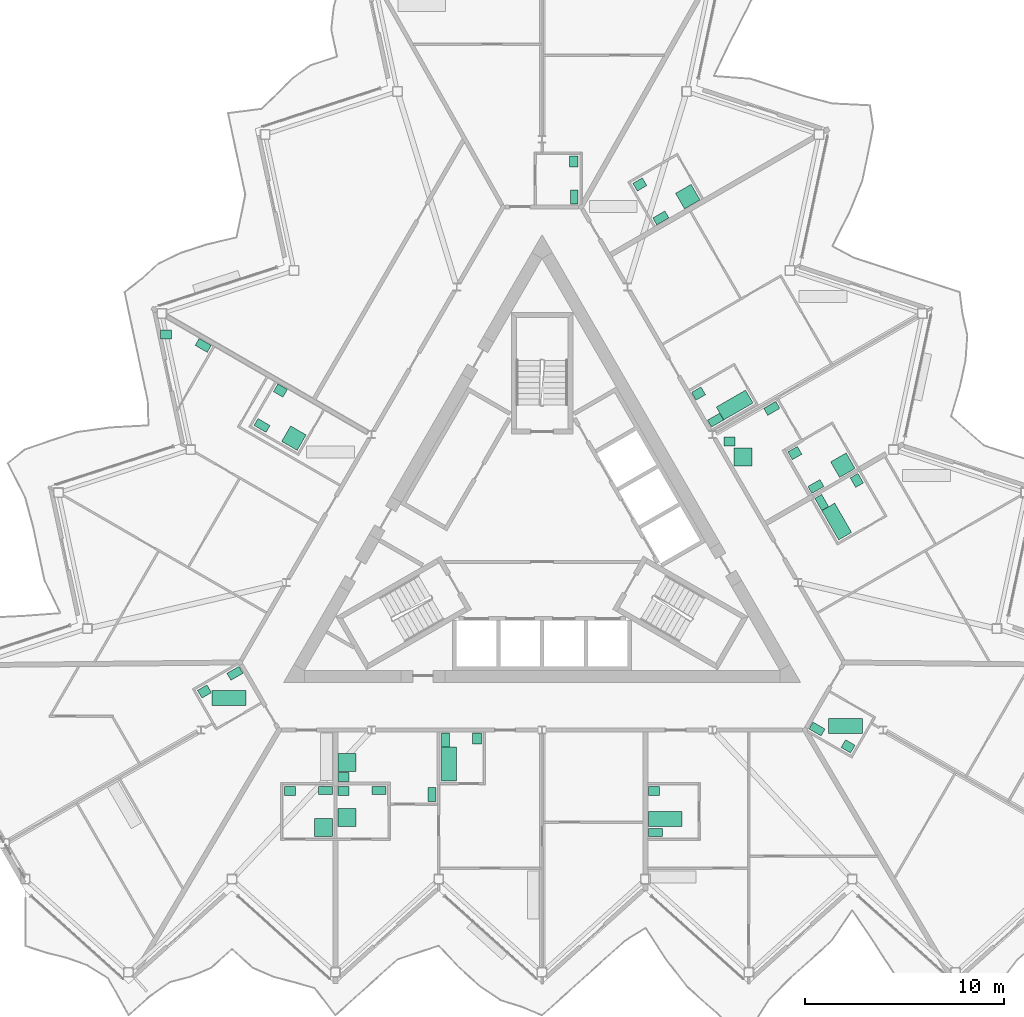
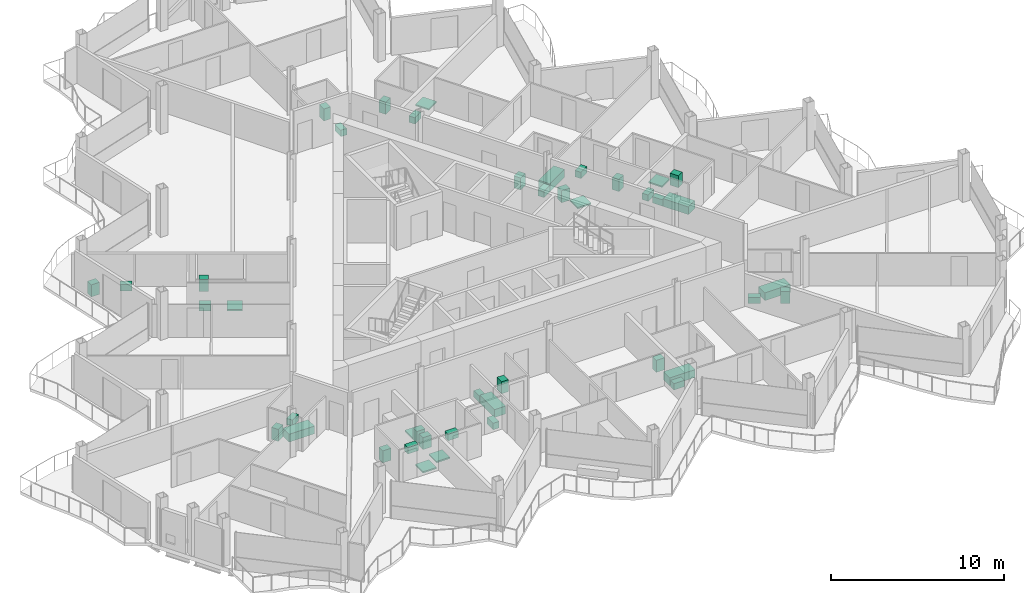
# One storey, part 25 of 26: 43 sanitary terminals.
"""IFC4 building model written with IfcOpenShell, lengths in metres."""

from ifc_helpers import new_model, si_unit, direction, frame, origin, origin_2d, place, context, subcontext, project, spatial, rectangle, extrude, material, type_object, element, save


model = new_model("IFC4")

# Units and contexts
model_context = context("Model", 3, precision=1e-05, world=origin(), true_north=direction((0.0, 1.0)))
body_context = subcontext(model_context, "Body", "Model", "MODEL_VIEW")
ifc_project = project(units=[si_unit("LENGTHUNIT", "METRE"), si_unit("AREAUNIT", "SQUARE_METRE"), si_unit("VOLUMEUNIT", "CUBIC_METRE"), si_unit("PLANEANGLEUNIT", "RADIAN"), si_unit("MASSUNIT", "GRAM", prefix="KILO")], contexts=[model_context])

# Site, building, storey
site_placement = place(None, origin())
site = spatial("IfcSite", under=ifc_project, at=site_placement, CompositionType="ELEMENT")
building_placement = place(site_placement, origin())
building = spatial("IfcBuilding", under=site, at=building_placement, Name="Cormorant Prow Tower", CompositionType="ELEMENT")
storey_placement = place(building_placement, frame((0.0, 0.0, 371.199951171875)))
storey = spatial("IfcBuildingStorey", under=building, at=storey_placement, Name="L83", CompositionType="ELEMENT", Elevation=371.199951171875)

# Sanitary terminals
ifc_material_1 = material(Name="Vitreous china")
sanitary_terminal_type_1 = type_object("IfcSanitaryTerminalType", Name="Bath 1700x750", PredefinedType="BATH", material=ifc_material_1)
for number, where, z_axis, x_axis, name in (
    (1, (-4.679931640625, -11.610595703125, 0.0), (0.0, 0.0, 1.0), (0.0, 1.0, 0.0), "Bath"),
    (2, (6.195068359375, -14.385498046875, 0.0), (0.0, 0.0, 1.0), (1.0, 0.0, 0.0), "Bath"),
    (3, (15.260498046875, -9.70068359375, 0.0), (0.0, 0.0, 1.0), (1.0, 0.0, 0.0), "Bath"),
    (4, (14.819580078125, 0.5830078125, 0.0), (0.0, 0.0, 1.0), (-0.5, 0.866025403784, 0.0), "Bath"),
    (5, (9.68701171875, 6.442626953125, 0.0), (0.0, 0.0, 1.0), (-0.866025403784, -0.5, 0.0), "Bath"),
    (6, (-15.75244140625, -8.29248046875, 0.0), (0.0, 0.0, 1.0), (1.0, 0.0, 0.0), "Bath"),
):
    element("IfcSanitaryTerminal", number, at=place(storey_placement, frame(where, z_axis=z_axis, x_axis=x_axis)), inside=storey, type_object=sanitary_terminal_type_1, Name=name, PredefinedType="BATH", context=body_context, shape_type="SweptSolid", body=[
        extrude(rectangle(XDim=1.699951171875, YDim=0.75, at=origin_2d()), origin(), (0.0, 0.0, 1.0), 0.550048828125),
    ])
ifc_material_2 = material(Name="Vitreous china")
sanitary_terminal_type_2 = type_object("IfcSanitaryTerminalType", Name="Shower tray 900x900", PredefinedType="SHOWER", material=ifc_material_2)
for number, where, z_axis, x_axis, name in (
    (7, (-10.9951171875, -14.810546875, 0.0), (0.0, 0.0, 1.0), (-1.0, 0.0, 0.0), "Shower tray"),
    (8, (-9.804931640625, -14.310546875, 0.0), (0.0, 0.0, 1.0), (1.0, 0.0, 0.0), "Shower tray"),
    (9, (-9.804931640625, -11.5419921875, 0.0), (0.0, 0.0, 1.0), (1.0, 0.0, 0.0), "Shower tray"),
    (10, (15.12890625, 3.417236328125, 0.0), (0.0, 0.0, 1.0), (-0.866025403784, -0.5, 0.0), "Shower tray"),
    (11, (10.109130859375, 3.8291015625, 0.0), (0.0, 0.0, 1.0), (1.0, 0.0, 0.0), "Shower tray"),
    (12, (7.328857421875, 16.92724609375, 0.0), (0.0, 0.0, 1.0), (-0.866025403784, -0.5, 0.0), "Shower tray"),
    (13, (-12.484619140625, 4.77734375, 0.0), (0.0, 0.0, 1.0), (-0.866025403784, 0.5, 0.0), "Shower tray"),
):
    element("IfcSanitaryTerminal", number, at=place(storey_placement, frame(where, z_axis=z_axis, x_axis=x_axis)), inside=storey, type_object=sanitary_terminal_type_2, Name=name, PredefinedType="SHOWER", context=body_context, shape_type="SweptSolid", body=[
        extrude(rectangle(XDim=0.89990234375, YDim=0.89990234375, at=origin_2d()), origin(), (0.0, 0.0, 1.0), 0.10009765625),
    ])
ifc_material_3 = material(Name="Vitreous china")
sanitary_terminal_type_3 = type_object("IfcSanitaryTerminalType", Name="Wash basin 550x450", PredefinedType="WASHHANDBASIN", material=ifc_material_3)
for number, where, z_axis, x_axis, name in (
    (14, (-12.679931640625, -12.9755859375, 0.0), (0.0, 0.0, 1.0), (1.0, 0.0, 0.0), "Wash basin"),
    (15, (-3.27001953125, -10.32568359375, 0.0), (0.0, 0.0, 1.0), (0.0, -1.0, 0.0), "Wash basin"),
    (16, (-9.97998046875, -12.9755859375, 0.0), (0.0, 0.0, 1.0), (1.0, 0.0, 0.0), "Wash basin"),
    (17, (-9.97998046875, -12.26708984375, 0.0), (0.0, 0.0, 1.0), (1.0, 0.0, 0.0), "Wash basin"),
    (18, (5.6201171875, -12.9755859375, 0.0), (0.0, 0.0, 1.0), (1.0, 0.0, 0.0), "Wash basin"),
    (19, (15.390380859375, -10.72509765625, 0.0), (0.0, 0.0, 1.0), (-0.866025403784, 0.5, 0.0), "Wash basin"),
    (20, (15.831298828125, 2.650634765625, 0.0), (0.0, 0.0, 1.0), (0.5, -0.866025403784, 0.0), "Wash basin"),
    (21, (7.869140625, 7.021240234375, 0.0), (0.0, 0.0, 1.0), (0.866025403784, 0.5, 0.0), "Wash basin"),
    (22, (12.715576171875, 4.02734375, 0.0), (0.0, 0.0, 1.0), (0.866025403784, 0.5, 0.0), "Wash basin"),
    (23, (9.43408203125, 4.604248046875, 0.0), (0.0, 0.0, 1.0), (1.0, 0.0, 0.0), "Wash basin"),
    (24, (4.91552734375, 17.537353515625, 0.0), (0.0, 0.0, 1.0), (0.866025403784, 0.5, 0.0), "Wash basin"),
    (25, (1.593017578125, 18.691162109375, 0.0), (0.0, 0.0, 1.0), (0.0, -1.0, 0.0), "Wash basin"),
    (26, (-18.916748046875, 9.997314453125, 0.0), (0.0, 0.0, 1.0), (1.0, 0.0, 0.0), "Wash basin"),
    (27, (-13.162841796875, 7.17236328125, 0.0), (0.0, 0.0, 1.0), (0.866025403784, -0.5, 0.0), "Wash basin"),
    (28, (-16.9833984375, -7.9658203125, 0.0), (0.0, 0.0, 1.0), (0.866025403784, 0.5, 0.0), "Wash basin"),
):
    element("IfcSanitaryTerminal", number, at=place(storey_placement, frame(where, z_axis=z_axis, x_axis=x_axis)), inside=storey, type_object=sanitary_terminal_type_3, Name=name, PredefinedType="WASHHANDBASIN", context=body_context, shape_type="SweptSolid", body=[
        extrude(rectangle(XDim=0.550048828125, YDim=0.449951171875, at=origin_2d()), origin(), (0.0, 0.0, 1.0), 0.85009765625),
    ])
ifc_material_4 = material(Name="Vitreous china")
sanitary_terminal_type_4 = type_object("IfcSanitaryTerminalType", Name="Water closet 400x700", PredefinedType="WCSEAT", material=ifc_material_4)
for number, where, z_axis, x_axis, name in (
    (29, (-10.89501953125, -12.95068359375, 0.0), (0.0, 0.0, 1.0), (0.0, -1.0, 0.0), "Water closet"),
    (30, (-4.85498046875, -10.400634765625, 0.0), (0.0, 0.0, 1.0), (1.0, 0.0, 0.0), "Water closet"),
    (31, (-8.195068359375, -12.95068359375, 0.0), (0.0, 0.0, 1.0), (0.0, -1.0, 0.0), "Water closet"),
    (32, (-5.544921875, -13.14208984375, 0.0), (0.0, 0.0, 1.0), (-1.0, 0.0, 0.0), "Water closet"),
    (33, (5.695068359375, -15.060546875, 0.0), (0.0, 0.0, 1.0), (0.0, 1.0, 0.0), "Water closet"),
    (34, (13.83203125, -9.854248046875, 0.0), (0.0, 0.0, 1.0), (0.5, 0.866025403784, 0.0), "Water closet"),
    (35, (14.06298828125, 1.543212890625, 0.0), (0.0, 0.0, 1.0), (0.866025403784, 0.5, 0.0), "Water closet"),
    (36, (8.726806640625, 5.68603515625, 0.0), (0.0, 0.0, 1.0), (-0.5, 0.866025403784, 0.0), "Water closet"),
    (37, (13.77294921875, 2.345703125, 0.0), (0.0, 0.0, 1.0), (-0.5, 0.866025403784, 0.0), "Water closet"),
    (38, (11.553955078125, 6.272216796875, 0.0), (0.0, 0.0, 1.0), (0.5, -0.866025403784, 0.0), "Water closet"),
    (39, (5.972900390625, 15.855712890625, 0.0), (0.0, 0.0, 1.0), (-0.5, 0.866025403784, 0.0), "Water closet"),
    (40, (1.617919921875, 16.906005859375, 0.0), (0.0, 0.0, 1.0), (-1.0, 0.0, 0.0), "Water closet"),
    (41, (-17.047607421875, 9.444091796875, 0.0), (0.0, 0.0, 1.0), (-0.5, -0.866025403784, 0.0), "Water closet"),
    (42, (-14.09033203125, 5.415771484375, 0.0), (0.0, 0.0, 1.0), (0.5, 0.866025403784, 0.0), "Water closet"),
    (43, (-15.4501953125, -7.0517578125, 0.0), (0.0, 0.0, 1.0), (0.5, -0.866025403784, 0.0), "Water closet"),
):
    element("IfcSanitaryTerminal", number, at=place(storey_placement, frame(where, z_axis=z_axis, x_axis=x_axis)), inside=storey, type_object=sanitary_terminal_type_4, Name=name, PredefinedType="WCSEAT", context=body_context, shape_type="SweptSolid", body=[
        extrude(rectangle(XDim=0.39990234375, YDim=0.699951171875, at=origin_2d()), origin(), (0.0, 0.0, 1.0), 0.449951171875),
    ])

save(model, "model.ifc")
